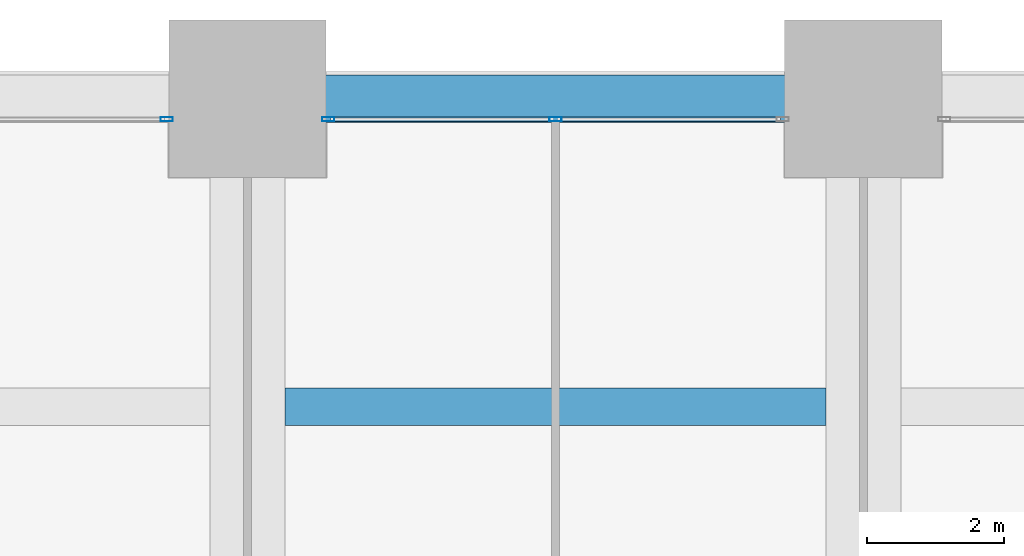
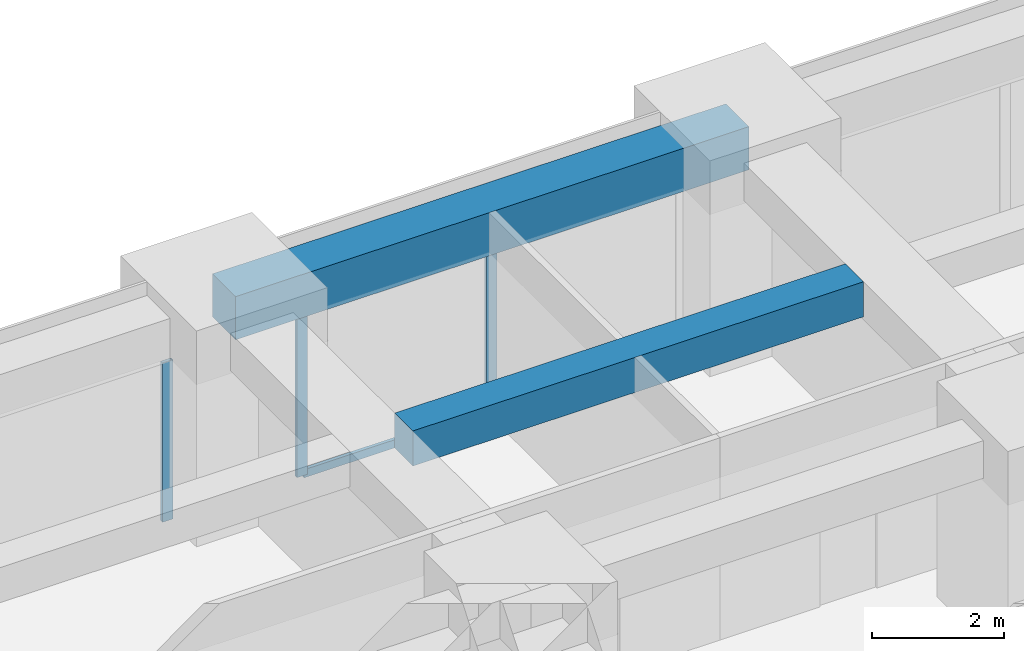
# One storey, part 30 of 44: 4 members, 2 beams, 2 elements without a shape of their own.
"""IFC4 building model written with IfcOpenShell, lengths in metres."""

from ifc_helpers import new_model, si_unit, direction, frame, origin, origin_2d, place, context, subcontext, project, spatial, rectangle, hollow_rectangle, extrude, material, material_profile, profile_set, type_object, element, aggregate, save


model = new_model("IFC4")

# Units and contexts
model_context = context("Model", 3, precision=1e-05, world=origin(), true_north=direction((0.0, 1.0)))
body_context = subcontext(model_context, "Body", "Model", "MODEL_VIEW")
ifc_project = project(units=[si_unit("LENGTHUNIT", "METRE"), si_unit("AREAUNIT", "SQUARE_METRE"), si_unit("VOLUMEUNIT", "CUBIC_METRE"), si_unit("PLANEANGLEUNIT", "RADIAN"), si_unit("MASSUNIT", "GRAM", prefix="KILO")], contexts=[model_context])

# Site, building, storey
site_placement = place(None, origin())
site = spatial("IfcSite", under=ifc_project, at=site_placement, CompositionType="ELEMENT")
building_placement = place(site_placement, origin())
building = spatial("IfcBuilding", under=site, at=building_placement, Name="Zorevar Civic Tower", CompositionType="ELEMENT")
storey_placement = place(building_placement, frame((0.0, 0.0, 59.800048828125)))
storey = spatial("IfcBuildingStorey", under=building, at=storey_placement, Name="L14", CompositionType="ELEMENT", Elevation=59.800048828125)

# Beam
ifc_material_1 = material(Name="Concrete C50/60", Category="concrete")
ifc_material_profile_1 = material_profile(ifc_material_1, rectangle(XDim=0.550048828125, YDim=0.64990234375, at=origin_2d()), Name="RC 550x650")
ifc_profile_set_1 = profile_set([ifc_material_profile_1], Name="Concrete C50/60")
beam_type_1 = type_object("IfcBeamType", Name="Beam RC 550x650", PredefinedType="BEAM", material=ifc_profile_set_1)
beam_1_placement = place(storey_placement, frame((27.550048828125, 49.5, 3.425048828125), z_axis=(1.0, 0.0, 0.0), x_axis=(0.0, 1.0, 0.0)))
element("IfcBeam", 1, at=beam_1_placement, inside=storey, type_object=beam_type_1, Name="Secondary beam L15", PredefinedType="BEAM", context=body_context, shape_type="SweptSolid", body=[
    extrude(rectangle(XDim=0.550048828125, YDim=0.64990234375, at=origin_2d()), origin(), (0.0, 0.0, 1.0), 7.89990234375),
])

# Curtain wall, member
ifc_material_2 = material(Name="Dark grey solar-control glass in black aluminium frame", Category="aluminium")
curtain_wall_type = type_object("IfcCurtainWallType", Name="Curtain wall CW2 low zone", PredefinedType="NOTDEFINED", material=ifc_material_2)
curtain_wall_1_placement = place(storey_placement, origin())
curtain_wall_1 = element("IfcCurtainWall", 2, at=curtain_wall_1_placement, inside=storey, type_object=curtain_wall_type, Name="CW2 L14", PredefinedType="NOTDEFINED")
ifc_material_3 = material(Name="Aluminium, black anodised", Category="aluminium")
ifc_material_profile_2 = material_profile(ifc_material_3, hollow_rectangle(XDim=0.06005859375, YDim=0.179931640625, WallThickness=0.00390625, at=origin_2d()), Name="AL 180x60x4")
ifc_profile_set_2 = profile_set([ifc_material_profile_2], Name="Aluminium, black anodised")
member_type_1 = type_object("IfcMemberType", Name="CW2 mullion AL 180x60x4", PredefinedType="MULLION", material=ifc_profile_set_2)
member_1_placement = place(storey_placement, frame((25.820068359375, 53.699951171875, 0.0), z_axis=(0.0, 0.0, 1.0), x_axis=(0.0, 1.0, 0.0)))
member_1 = element("IfcMember", 3, at=member_1_placement, type_object=member_type_1, Name="CW2 mullion 3", PredefinedType="MULLION", context=body_context, shape_type="SweptSolid", body=[
    extrude(hollow_rectangle(XDim=0.06005859375, YDim=0.179931640625, WallThickness=0.00390625, at=origin_2d()), origin(), (0.0, 0.0, 1.0), 2.949951171875),
])
aggregate(curtain_wall_1, [member_1])

# Curtain wall, members
curtain_wall_2_placement = place(storey_placement, origin())
curtain_wall_2 = element("IfcCurtainWall", 4, at=curtain_wall_2_placement, inside=storey, type_object=curtain_wall_type, Name="CW2 L14", PredefinedType="NOTDEFINED")
member_2_placement = place(storey_placement, frame((28.179931640625, 53.699951171875, 0.0), z_axis=(0.0, 0.0, 1.0), x_axis=(0.0, 1.0, 0.0)))
member_2 = element("IfcMember", 5, at=member_2_placement, type_object=member_type_1, Name="CW2 mullion 1", PredefinedType="MULLION", context=body_context, shape_type="SweptSolid", body=[
    extrude(hollow_rectangle(XDim=0.06005859375, YDim=0.179931640625, WallThickness=0.00390625, at=origin_2d()), origin(), (0.0, 0.0, 1.0), 2.949951171875),
])
member_3_placement = place(storey_placement, frame((31.5, 53.699951171875, 0.06005859375), z_axis=(0.0, 0.0, 1.0), x_axis=(0.0, 1.0, 0.0)))
member_3 = element("IfcMember", 6, at=member_3_placement, type_object=member_type_1, Name="CW2 mullion 2", PredefinedType="MULLION", context=body_context, shape_type="SweptSolid", body=[
    extrude(hollow_rectangle(XDim=0.06005859375, YDim=0.179931640625, WallThickness=0.00390625, at=origin_2d()), origin(), (0.0, 0.0, 1.0), 2.889892578125),
])
ifc_material_4 = material(Name="Aluminium, black anodised", Category="aluminium")
ifc_material_profile_3 = material_profile(ifc_material_4, hollow_rectangle(XDim=0.06005859375, YDim=0.14990234375, WallThickness=0.00390625, at=origin_2d()), Name="AL 150x60x4")
ifc_profile_set_3 = profile_set([ifc_material_profile_3], Name="Aluminium, black anodised")
member_type_2 = type_object("IfcMemberType", Name="CW2 transom AL 150x60x4", PredefinedType="USERDEFINED", material=ifc_profile_set_3)
member_4_placement = place(storey_placement, frame((28.2099609375, 53.699951171875, 0.030029296875), z_axis=(1.0, 0.0, 0.0), x_axis=(0.0, 1.0, 0.0)))
member_4 = element("IfcMember", 7, at=member_4_placement, type_object=member_type_2, Name="CW2 sill transom", ObjectType="TRANSOM", PredefinedType="USERDEFINED", context=body_context, shape_type="SweptSolid", body=[
    extrude(hollow_rectangle(XDim=0.06005859375, YDim=0.14990234375, WallThickness=0.00390625, at=origin_2d()), origin(), (0.0, 0.0, 1.0), 6.580078125),
])
aggregate(curtain_wall_2, [member_2, member_3, member_4])

# Beam
ifc_material_5 = material(Name="Concrete C50/60", Category="concrete")
ifc_material_profile_4 = material_profile(ifc_material_5, rectangle(XDim=0.699951171875, YDim=0.800048828125, at=origin_2d()), Name="RC 700x800")
ifc_profile_set_4 = profile_set([ifc_material_profile_4], Name="Concrete C50/60")
beam_type_2 = type_object("IfcBeamType", Name="Edge beam RC 700x800", PredefinedType="SPANDREL", material=ifc_profile_set_4)
beam_2_placement = place(storey_placement, frame((27.0, 54.0, 3.349853515625), z_axis=(1.0, 0.0, 0.0), x_axis=(0.0, 1.0, 0.0)))
element("IfcBeam", 8, at=beam_2_placement, inside=storey, type_object=beam_type_2, Name="Edge beam L15", PredefinedType="SPANDREL", context=body_context, shape_type="SweptSolid", body=[
    extrude(rectangle(XDim=0.699951171875, YDim=0.800048828125, at=origin_2d()), origin(), (0.0, 0.0, 1.0), 9.0),
])

save(model, "model.ifc")
